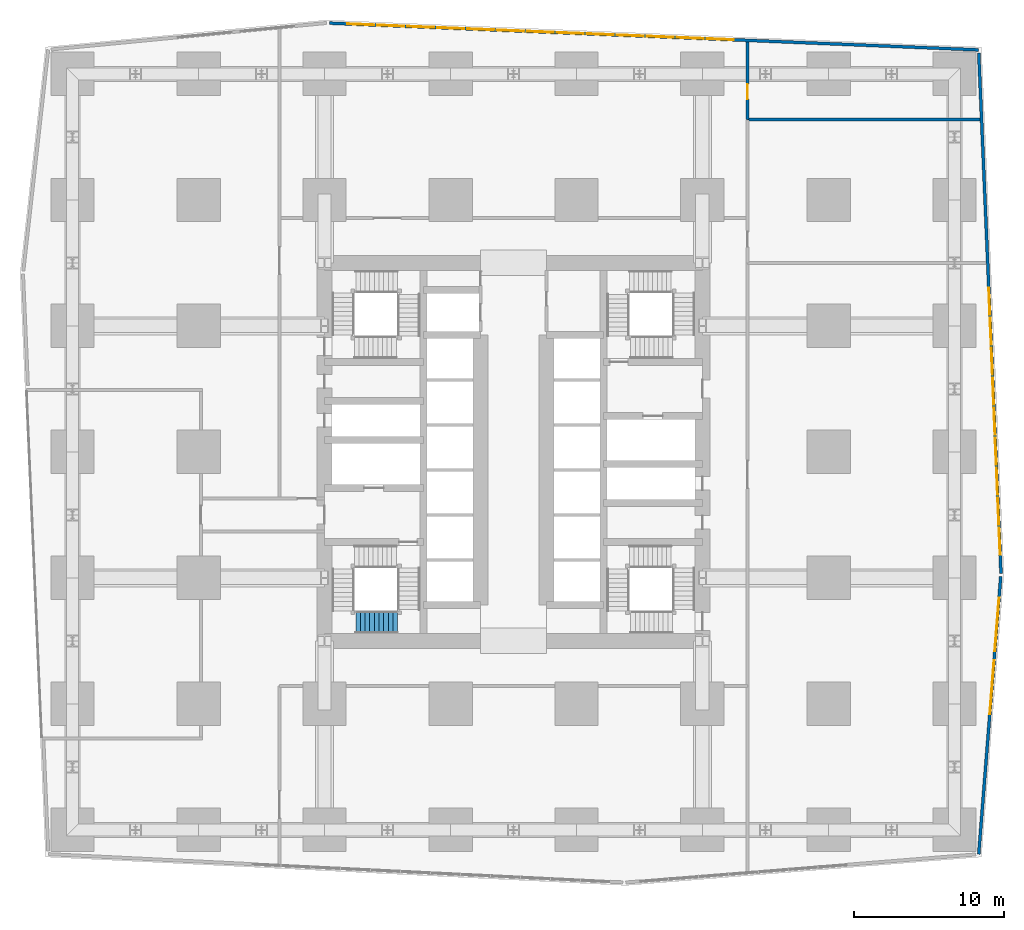
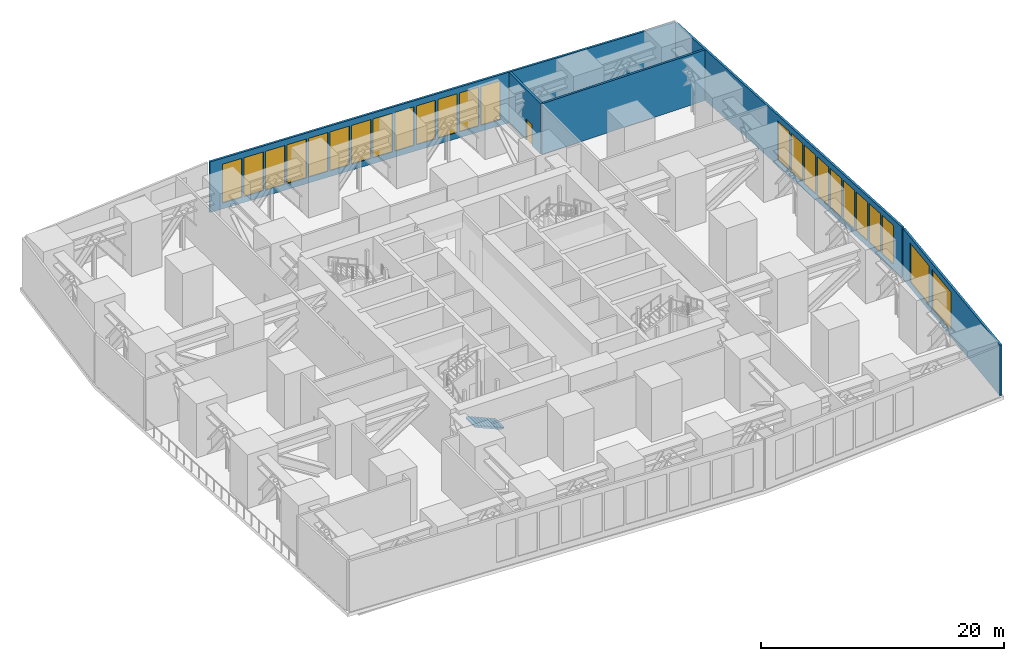
# One storey, part 11 of 16: 24 windows, 5 walls, 1 door, 1 stair flight, 25 openings, 1 element without a shape of its own.
"""IFC4 building model written with IfcOpenShell, lengths in metres."""

from ifc_helpers import new_model, si_unit, direction, frame, frame_2d, origin, place, context, subcontext, project, spatial, polyline, rectangle, outline, extrude, material, layer, layer_set, type_object, element, fill, aggregate, save


model = new_model("IFC4")

# Units and contexts
model_context = context("Model", 3, precision=1e-05, world=origin(), true_north=direction((0.0, 1.0)))
body_context = subcontext(model_context, "Body", "Model", "MODEL_VIEW")
ifc_project = project(units=[si_unit("LENGTHUNIT", "METRE"), si_unit("AREAUNIT", "SQUARE_METRE"), si_unit("VOLUMEUNIT", "CUBIC_METRE"), si_unit("PLANEANGLEUNIT", "RADIAN"), si_unit("MASSUNIT", "GRAM", prefix="KILO")], contexts=[model_context])

# Site, building, storey
site_placement = place(None, origin())
site = spatial("IfcSite", under=ifc_project, at=site_placement, CompositionType="ELEMENT")
building_placement = place(site_placement, origin())
building = spatial("IfcBuilding", under=site, at=building_placement, Name="Rekha Terrace Tower", CompositionType="ELEMENT")
storey_placement = place(building_placement, frame((0.0, 0.0, 85.39990234375)))
storey = spatial("IfcBuildingStorey", under=building, at=storey_placement, Name="L21", CompositionType="ELEMENT", Elevation=85.39990234375)

# Wall, openings, windows
ifc_material_1 = material(Name="Aluminium cladding on steel stud wall", Category="steel")
ifc_layer_1 = layer(ifc_material_1, 0.199951171875)
ifc_layer_set_1 = layer_set([ifc_layer_1], Name="Aluminium cladding on steel stud wall")
wall_type_1 = type_object("IfcWallType", Name="EW1 plant floor louvre wall 200", PredefinedType="SOLIDWALL", material=ifc_layer_set_1)
wall_1_placement = place(storey_placement, frame((68.814208984375, 6.78564453125, 0.0), z_axis=(0.0, 0.0, 1.0), x_axis=(0.079116300998, 0.996865392576, 0.0)))
wall_1 = element("IfcWall", 1, at=wall_1_placement, inside=storey, type_object=wall_type_1, Name="Plant floor louvre wall", PredefinedType="SOLIDWALL", context=body_context, shape_type="SweptSolid", body=[
    extrude(rectangle(XDim=18.576904296875, YDim=0.199951171875, at=frame_2d((9.28857421875, 0.0))), origin(), (0.0, 0.0, 1.0), 5.10009765625),
])
opening_1_placement = place(wall_1_placement, frame((9.359619140625, 0.0, 0.60009765625)))
opening_1 = element("IfcOpeningElement", 2, at=opening_1_placement, cuts=wall_1, Name="Opening LV1", PredefinedType="OPENING", context=body_context, shape_type="SweptSolid", body=[
    extrude(rectangle(XDim=3.60009765625, YDim=3.89990234375, at=frame_2d((1.800048828125, 1.949951171875))), frame((0.0, 0.10986328125, 0.0), z_axis=(0.0, -1.0, 0.0), x_axis=(1.0, 0.0, 0.0)), (0.0, 0.0, 1.0), 0.219970703125),
])
opening_2_placement = place(wall_1_placement, frame((13.559814453125, 0.0, 0.60009765625)))
opening_2 = element("IfcOpeningElement", 3, at=opening_2_placement, cuts=wall_1, Name="Opening LV1", PredefinedType="OPENING", context=body_context, shape_type="SweptSolid", body=[
    extrude(rectangle(XDim=3.60009765625, YDim=3.89990234375, at=frame_2d((1.800048828125, 1.949951171875))), frame((0.0, 0.10986328125, 0.0), z_axis=(0.0, -1.0, 0.0), x_axis=(1.0, 0.0, 0.0)), (0.0, 0.0, 1.0), 0.219970703125),
])
ifc_material_2 = material(Name="Extruded aluminium weather louvre", Category="aluminium")
window_type_1 = type_object("IfcWindowType", Name="LV1 plant louvre 3600", PartitioningType="SINGLE_PANEL", PredefinedType="USERDEFINED", material=ifc_material_2)
window_1_placement = place(opening_1_placement, origin())
window_1 = element("IfcWindow", 4, at=window_1_placement, inside=storey, type_object=window_type_1, Name="Plant louvre", ObjectType="LOUVRE", OverallHeight=3.89990234375, OverallWidth=3.60009765625, PartitioningType="SINGLE_PANEL", PredefinedType="USERDEFINED", context=body_context, shape_type="SweptSolid", body=[
    extrude(rectangle(XDim=3.60009765625, YDim=3.89990234375, at=frame_2d((1.800048828125, 1.949951171875))), frame((0.0, 0.030029296875, 0.0), z_axis=(0.0, -1.0, 0.0), x_axis=(1.0, 0.0, 0.0)), (0.0, 0.0, 1.0), 0.06005859375),
])
fill(opening_1, window_1)
window_2_placement = place(opening_2_placement, origin())
window_2 = element("IfcWindow", 5, at=window_2_placement, inside=storey, type_object=window_type_1, Name="Plant louvre", ObjectType="LOUVRE", OverallHeight=3.89990234375, OverallWidth=3.60009765625, PartitioningType="SINGLE_PANEL", PredefinedType="USERDEFINED", context=body_context, shape_type="SweptSolid", body=[
    extrude(rectangle(XDim=3.60009765625, YDim=3.89990234375, at=frame_2d((1.800048828125, 1.949951171875))), frame((0.0, 0.030029296875, 0.0), z_axis=(0.0, -1.0, 0.0), x_axis=(1.0, 0.0, 0.0)), (0.0, 0.0, 1.0), 0.06005859375),
])
fill(opening_2, window_2)

wall_2_placement = place(storey_placement, frame((70.299560546875, 25.503662109375, 0.0), z_axis=(0.0, 0.0, 1.0), x_axis=(-0.042690856182, 0.999088329828, 0.0)))
wall_2 = element("IfcWall", 6, at=wall_2_placement, inside=storey, type_object=wall_type_1, Name="Plant floor louvre wall", PredefinedType="SOLIDWALL", context=body_context, shape_type="SweptSolid", body=[
    extrude(rectangle(XDim=34.736083984375, YDim=0.199951171875, at=frame_2d((17.3681640625, 0.0))), origin(), (0.0, 0.0, 1.0), 5.10009765625),
])
opening_3_placement = place(wall_2_placement, frame((1.25732421875, 0.0, 0.60009765625)))
opening_3 = element("IfcOpeningElement", 7, at=opening_3_placement, cuts=wall_2, Name="Opening LV2", PredefinedType="OPENING", context=body_context, shape_type="SweptSolid", body=[
    extrude(rectangle(XDim=1.800048828125, YDim=3.89990234375, at=frame_2d((0.89990234375, 1.949951171875))), frame((0.0, 0.10986328125, 0.0), z_axis=(0.0, -1.0, 0.0), x_axis=(1.0, 0.0, 0.0)), (0.0, 0.0, 1.0), 0.219970703125),
])
opening_4_placement = place(wall_2_placement, frame((3.25732421875, 0.0, 0.60009765625)))
opening_4 = element("IfcOpeningElement", 8, at=opening_4_placement, cuts=wall_2, Name="Opening LV2", PredefinedType="OPENING", context=body_context, shape_type="SweptSolid", body=[
    extrude(rectangle(XDim=1.800048828125, YDim=3.89990234375, at=frame_2d((0.89990234375, 1.949951171875))), frame((0.0, 0.10986328125, 0.0), z_axis=(0.0, -1.0, 0.0), x_axis=(1.0, 0.0, 0.0)), (0.0, 0.0, 1.0), 0.219970703125),
])
opening_5_placement = place(wall_2_placement, frame((5.25732421875, 0.0, 0.60009765625)))
opening_5 = element("IfcOpeningElement", 9, at=opening_5_placement, cuts=wall_2, Name="Opening LV2", PredefinedType="OPENING", context=body_context, shape_type="SweptSolid", body=[
    extrude(rectangle(XDim=1.800048828125, YDim=3.89990234375, at=frame_2d((0.89990234375, 1.949951171875))), frame((0.0, 0.10986328125, 0.0), z_axis=(0.0, -1.0, 0.0), x_axis=(1.0, 0.0, 0.0)), (0.0, 0.0, 1.0), 0.219970703125),
])
opening_6_placement = place(wall_2_placement, frame((7.25732421875, 0.0, 0.60009765625)))
opening_6 = element("IfcOpeningElement", 10, at=opening_6_placement, cuts=wall_2, Name="Opening LV2", PredefinedType="OPENING", context=body_context, shape_type="SweptSolid", body=[
    extrude(rectangle(XDim=1.800048828125, YDim=3.89990234375, at=frame_2d((0.89990234375, 1.949951171875))), frame((0.0, 0.10986328125, 0.0), z_axis=(0.0, -1.0, 0.0), x_axis=(1.0, 0.0, 0.0)), (0.0, 0.0, 1.0), 0.219970703125),
])
opening_7_placement = place(wall_2_placement, frame((9.25732421875, 0.0, 0.60009765625)))
opening_7 = element("IfcOpeningElement", 11, at=opening_7_placement, cuts=wall_2, Name="Opening LV2", PredefinedType="OPENING", context=body_context, shape_type="SweptSolid", body=[
    extrude(rectangle(XDim=1.800048828125, YDim=3.89990234375, at=frame_2d((0.89990234375, 1.949951171875))), frame((0.0, 0.10986328125, 0.0), z_axis=(0.0, -1.0, 0.0), x_axis=(1.0, 0.0, 0.0)), (0.0, 0.0, 1.0), 0.219970703125),
])
opening_8_placement = place(wall_2_placement, frame((11.25732421875, 0.0, 0.60009765625)))
opening_8 = element("IfcOpeningElement", 12, at=opening_8_placement, cuts=wall_2, Name="Opening LV2", PredefinedType="OPENING", context=body_context, shape_type="SweptSolid", body=[
    extrude(rectangle(XDim=1.800048828125, YDim=3.89990234375, at=frame_2d((0.89990234375, 1.949951171875))), frame((0.0, 0.10986328125, 0.0), z_axis=(0.0, -1.0, 0.0), x_axis=(1.0, 0.0, 0.0)), (0.0, 0.0, 1.0), 0.219970703125),
])
opening_9_placement = place(wall_2_placement, frame((13.25732421875, 0.0, 0.60009765625)))
opening_9 = element("IfcOpeningElement", 13, at=opening_9_placement, cuts=wall_2, Name="Opening LV2", PredefinedType="OPENING", context=body_context, shape_type="SweptSolid", body=[
    extrude(rectangle(XDim=1.800048828125, YDim=3.89990234375, at=frame_2d((0.89990234375, 1.949951171875))), frame((0.0, 0.10986328125, 0.0), z_axis=(0.0, -1.0, 0.0), x_axis=(1.0, 0.0, 0.0)), (0.0, 0.0, 1.0), 0.219970703125),
])
opening_10_placement = place(wall_2_placement, frame((15.25732421875, 0.0, 0.60009765625)))
opening_10 = element("IfcOpeningElement", 14, at=opening_10_placement, cuts=wall_2, Name="Opening LV2", PredefinedType="OPENING", context=body_context, shape_type="SweptSolid", body=[
    extrude(rectangle(XDim=1.800048828125, YDim=3.89990234375, at=frame_2d((0.89990234375, 1.949951171875))), frame((0.0, 0.10986328125, 0.0), z_axis=(0.0, -1.0, 0.0), x_axis=(1.0, 0.0, 0.0)), (0.0, 0.0, 1.0), 0.219970703125),
])
opening_11_placement = place(wall_2_placement, frame((17.25732421875, 0.0, 0.60009765625)))
opening_11 = element("IfcOpeningElement", 15, at=opening_11_placement, cuts=wall_2, Name="Opening LV2", PredefinedType="OPENING", context=body_context, shape_type="SweptSolid", body=[
    extrude(rectangle(XDim=1.800048828125, YDim=3.89990234375, at=frame_2d((0.89990234375, 1.949951171875))), frame((0.0, 0.10986328125, 0.0), z_axis=(0.0, -1.0, 0.0), x_axis=(1.0, 0.0, 0.0)), (0.0, 0.0, 1.0), 0.219970703125),
])
window_type_2 = type_object("IfcWindowType", Name="LV2 plant louvre 1800", PartitioningType="SINGLE_PANEL", PredefinedType="USERDEFINED", material=ifc_material_2)
window_3_placement = place(opening_3_placement, origin())
window_3 = element("IfcWindow", 16, at=window_3_placement, inside=storey, type_object=window_type_2, Name="Plant louvre", ObjectType="LOUVRE", OverallHeight=3.89990234375, OverallWidth=1.800048828125, PartitioningType="SINGLE_PANEL", PredefinedType="USERDEFINED", context=body_context, shape_type="SweptSolid", body=[
    extrude(rectangle(XDim=1.800048828125, YDim=3.89990234375, at=frame_2d((0.89990234375, 1.949951171875))), frame((0.0, 0.030029296875, 0.0), z_axis=(0.0, -1.0, 0.0), x_axis=(1.0, 0.0, 0.0)), (0.0, 0.0, 1.0), 0.06005859375),
])
fill(opening_3, window_3)
window_4_placement = place(opening_4_placement, origin())
window_4 = element("IfcWindow", 17, at=window_4_placement, inside=storey, type_object=window_type_2, Name="Plant louvre", ObjectType="LOUVRE", OverallHeight=3.89990234375, OverallWidth=1.800048828125, PartitioningType="SINGLE_PANEL", PredefinedType="USERDEFINED", context=body_context, shape_type="SweptSolid", body=[
    extrude(rectangle(XDim=1.800048828125, YDim=3.89990234375, at=frame_2d((0.89990234375, 1.949951171875))), frame((0.0, 0.030029296875, 0.0), z_axis=(0.0, -1.0, 0.0), x_axis=(1.0, 0.0, 0.0)), (0.0, 0.0, 1.0), 0.06005859375),
])
fill(opening_4, window_4)
window_5_placement = place(opening_5_placement, origin())
window_5 = element("IfcWindow", 18, at=window_5_placement, inside=storey, type_object=window_type_2, Name="Plant louvre", ObjectType="LOUVRE", OverallHeight=3.89990234375, OverallWidth=1.800048828125, PartitioningType="SINGLE_PANEL", PredefinedType="USERDEFINED", context=body_context, shape_type="SweptSolid", body=[
    extrude(rectangle(XDim=1.800048828125, YDim=3.89990234375, at=frame_2d((0.89990234375, 1.949951171875))), frame((0.0, 0.030029296875, 0.0), z_axis=(0.0, -1.0, 0.0), x_axis=(1.0, 0.0, 0.0)), (0.0, 0.0, 1.0), 0.06005859375),
])
fill(opening_5, window_5)
window_6_placement = place(opening_6_placement, origin())
window_6 = element("IfcWindow", 19, at=window_6_placement, inside=storey, type_object=window_type_2, Name="Plant louvre", ObjectType="LOUVRE", OverallHeight=3.89990234375, OverallWidth=1.800048828125, PartitioningType="SINGLE_PANEL", PredefinedType="USERDEFINED", context=body_context, shape_type="SweptSolid", body=[
    extrude(rectangle(XDim=1.800048828125, YDim=3.89990234375, at=frame_2d((0.89990234375, 1.949951171875))), frame((0.0, 0.030029296875, 0.0), z_axis=(0.0, -1.0, 0.0), x_axis=(1.0, 0.0, 0.0)), (0.0, 0.0, 1.0), 0.06005859375),
])
fill(opening_6, window_6)
window_7_placement = place(opening_7_placement, origin())
window_7 = element("IfcWindow", 20, at=window_7_placement, inside=storey, type_object=window_type_2, Name="Plant louvre", ObjectType="LOUVRE", OverallHeight=3.89990234375, OverallWidth=1.800048828125, PartitioningType="SINGLE_PANEL", PredefinedType="USERDEFINED", context=body_context, shape_type="SweptSolid", body=[
    extrude(rectangle(XDim=1.800048828125, YDim=3.89990234375, at=frame_2d((0.89990234375, 1.949951171875))), frame((0.0, 0.030029296875, 0.0), z_axis=(0.0, -1.0, 0.0), x_axis=(1.0, 0.0, 0.0)), (0.0, 0.0, 1.0), 0.06005859375),
])
fill(opening_7, window_7)
window_8_placement = place(opening_8_placement, origin())
window_8 = element("IfcWindow", 21, at=window_8_placement, inside=storey, type_object=window_type_2, Name="Plant louvre", ObjectType="LOUVRE", OverallHeight=3.89990234375, OverallWidth=1.800048828125, PartitioningType="SINGLE_PANEL", PredefinedType="USERDEFINED", context=body_context, shape_type="SweptSolid", body=[
    extrude(rectangle(XDim=1.800048828125, YDim=3.89990234375, at=frame_2d((0.89990234375, 1.949951171875))), frame((0.0, 0.030029296875, 0.0), z_axis=(0.0, -1.0, 0.0), x_axis=(1.0, 0.0, 0.0)), (0.0, 0.0, 1.0), 0.06005859375),
])
fill(opening_8, window_8)
window_9_placement = place(opening_9_placement, origin())
window_9 = element("IfcWindow", 22, at=window_9_placement, inside=storey, type_object=window_type_2, Name="Plant louvre", ObjectType="LOUVRE", OverallHeight=3.89990234375, OverallWidth=1.800048828125, PartitioningType="SINGLE_PANEL", PredefinedType="USERDEFINED", context=body_context, shape_type="SweptSolid", body=[
    extrude(rectangle(XDim=1.800048828125, YDim=3.89990234375, at=frame_2d((0.89990234375, 1.949951171875))), frame((0.0, 0.030029296875, 0.0), z_axis=(0.0, -1.0, 0.0), x_axis=(1.0, 0.0, 0.0)), (0.0, 0.0, 1.0), 0.06005859375),
])
fill(opening_9, window_9)
window_10_placement = place(opening_10_placement, origin())
window_10 = element("IfcWindow", 23, at=window_10_placement, inside=storey, type_object=window_type_2, Name="Plant louvre", ObjectType="LOUVRE", OverallHeight=3.89990234375, OverallWidth=1.800048828125, PartitioningType="SINGLE_PANEL", PredefinedType="USERDEFINED", context=body_context, shape_type="SweptSolid", body=[
    extrude(rectangle(XDim=1.800048828125, YDim=3.89990234375, at=frame_2d((0.89990234375, 1.949951171875))), frame((0.0, 0.030029296875, 0.0), z_axis=(0.0, -1.0, 0.0), x_axis=(1.0, 0.0, 0.0)), (0.0, 0.0, 1.0), 0.06005859375),
])
fill(opening_10, window_10)
window_11_placement = place(opening_11_placement, origin())
window_11 = element("IfcWindow", 24, at=window_11_placement, inside=storey, type_object=window_type_2, Name="Plant louvre", ObjectType="LOUVRE", OverallHeight=3.89990234375, OverallWidth=1.800048828125, PartitioningType="SINGLE_PANEL", PredefinedType="USERDEFINED", context=body_context, shape_type="SweptSolid", body=[
    extrude(rectangle(XDim=1.800048828125, YDim=3.89990234375, at=frame_2d((0.89990234375, 1.949951171875))), frame((0.0, 0.030029296875, 0.0), z_axis=(0.0, -1.0, 0.0), x_axis=(1.0, 0.0, 0.0)), (0.0, 0.0, 1.0), 0.06005859375),
])
fill(opening_11, window_11)

wall_3_placement = place(storey_placement, frame((68.80810546875, 60.40771484375, 0.0), z_axis=(0.0, 0.0, 1.0), x_axis=(-0.999151937772, 0.041175298993, 0.0)))
wall_3 = element("IfcWall", 25, at=wall_3_placement, inside=storey, type_object=wall_type_1, Name="Plant floor louvre wall", PredefinedType="SOLIDWALL", context=body_context, shape_type="SweptSolid", body=[
    extrude(rectangle(XDim=43.3193359375, YDim=0.199951171875, at=frame_2d((21.65966796875, 0.0))), origin(), (0.0, 0.0, 1.0), 5.10009765625),
])
opening_12_placement = place(wall_3_placement, frame((16.33447265625, 0.0, 0.60009765625)))
opening_12 = element("IfcOpeningElement", 26, at=opening_12_placement, cuts=wall_3, Name="Opening LV2", PredefinedType="OPENING", context=body_context, shape_type="SweptSolid", body=[
    extrude(rectangle(XDim=1.800048828125, YDim=3.89990234375, at=frame_2d((0.89990234375, 1.949951171875))), frame((0.0, 0.10986328125, 0.0), z_axis=(0.0, -1.0, 0.0), x_axis=(1.0, 0.0, 0.0)), (0.0, 0.0, 1.0), 0.219970703125),
])
opening_13_placement = place(wall_3_placement, frame((18.33447265625, 0.0, 0.60009765625)))
opening_13 = element("IfcOpeningElement", 27, at=opening_13_placement, cuts=wall_3, Name="Opening LV2", PredefinedType="OPENING", context=body_context, shape_type="SweptSolid", body=[
    extrude(rectangle(XDim=1.800048828125, YDim=3.89990234375, at=frame_2d((0.89990234375, 1.949951171875))), frame((0.0, 0.10986328125, 0.0), z_axis=(0.0, -1.0, 0.0), x_axis=(1.0, 0.0, 0.0)), (0.0, 0.0, 1.0), 0.219970703125),
])
opening_14_placement = place(wall_3_placement, frame((20.33447265625, 0.0, 0.60009765625)))
opening_14 = element("IfcOpeningElement", 28, at=opening_14_placement, cuts=wall_3, Name="Opening LV2", PredefinedType="OPENING", context=body_context, shape_type="SweptSolid", body=[
    extrude(rectangle(XDim=1.800048828125, YDim=3.89990234375, at=frame_2d((0.89990234375, 1.949951171875))), frame((0.0, 0.10986328125, 0.0), z_axis=(0.0, -1.0, 0.0), x_axis=(1.0, 0.0, 0.0)), (0.0, 0.0, 1.0), 0.219970703125),
])
opening_15_placement = place(wall_3_placement, frame((22.33447265625, 0.0, 0.60009765625)))
opening_15 = element("IfcOpeningElement", 29, at=opening_15_placement, cuts=wall_3, Name="Opening LV2", PredefinedType="OPENING", context=body_context, shape_type="SweptSolid", body=[
    extrude(rectangle(XDim=1.800048828125, YDim=3.89990234375, at=frame_2d((0.89990234375, 1.949951171875))), frame((0.0, 0.10986328125, 0.0), z_axis=(0.0, -1.0, 0.0), x_axis=(1.0, 0.0, 0.0)), (0.0, 0.0, 1.0), 0.219970703125),
])
opening_16_placement = place(wall_3_placement, frame((24.33447265625, 0.0, 0.60009765625)))
opening_16 = element("IfcOpeningElement", 30, at=opening_16_placement, cuts=wall_3, Name="Opening LV2", PredefinedType="OPENING", context=body_context, shape_type="SweptSolid", body=[
    extrude(rectangle(XDim=1.800048828125, YDim=3.89990234375, at=frame_2d((0.89990234375, 1.949951171875))), frame((0.0, 0.10986328125, 0.0), z_axis=(0.0, -1.0, 0.0), x_axis=(1.0, 0.0, 0.0)), (0.0, 0.0, 1.0), 0.219970703125),
])
opening_17_placement = place(wall_3_placement, frame((26.33447265625, 0.0, 0.60009765625)))
opening_17 = element("IfcOpeningElement", 31, at=opening_17_placement, cuts=wall_3, Name="Opening LV2", PredefinedType="OPENING", context=body_context, shape_type="SweptSolid", body=[
    extrude(rectangle(XDim=1.800048828125, YDim=3.89990234375, at=frame_2d((0.89990234375, 1.949951171875))), frame((0.0, 0.10986328125, 0.0), z_axis=(0.0, -1.0, 0.0), x_axis=(1.0, 0.0, 0.0)), (0.0, 0.0, 1.0), 0.219970703125),
])
opening_18_placement = place(wall_3_placement, frame((28.33447265625, 0.0, 0.60009765625)))
opening_18 = element("IfcOpeningElement", 32, at=opening_18_placement, cuts=wall_3, Name="Opening LV2", PredefinedType="OPENING", context=body_context, shape_type="SweptSolid", body=[
    extrude(rectangle(XDim=1.800048828125, YDim=3.89990234375, at=frame_2d((0.89990234375, 1.949951171875))), frame((0.0, 0.10986328125, 0.0), z_axis=(0.0, -1.0, 0.0), x_axis=(1.0, 0.0, 0.0)), (0.0, 0.0, 1.0), 0.219970703125),
])
opening_19_placement = place(wall_3_placement, frame((30.33447265625, 0.0, 0.60009765625)))
opening_19 = element("IfcOpeningElement", 33, at=opening_19_placement, cuts=wall_3, Name="Opening LV2", PredefinedType="OPENING", context=body_context, shape_type="SweptSolid", body=[
    extrude(rectangle(XDim=1.800048828125, YDim=3.89990234375, at=frame_2d((0.89990234375, 1.949951171875))), frame((0.0, 0.10986328125, 0.0), z_axis=(0.0, -1.0, 0.0), x_axis=(1.0, 0.0, 0.0)), (0.0, 0.0, 1.0), 0.219970703125),
])
opening_20_placement = place(wall_3_placement, frame((32.33447265625, 0.0, 0.60009765625)))
opening_20 = element("IfcOpeningElement", 34, at=opening_20_placement, cuts=wall_3, Name="Opening LV2", PredefinedType="OPENING", context=body_context, shape_type="SweptSolid", body=[
    extrude(rectangle(XDim=1.800048828125, YDim=3.89990234375, at=frame_2d((0.89990234375, 1.949951171875))), frame((0.0, 0.10986328125, 0.0), z_axis=(0.0, -1.0, 0.0), x_axis=(1.0, 0.0, 0.0)), (0.0, 0.0, 1.0), 0.219970703125),
])
opening_21_placement = place(wall_3_placement, frame((34.33447265625, 0.0, 0.60009765625)))
opening_21 = element("IfcOpeningElement", 35, at=opening_21_placement, cuts=wall_3, Name="Opening LV2", PredefinedType="OPENING", context=body_context, shape_type="SweptSolid", body=[
    extrude(rectangle(XDim=1.800048828125, YDim=3.89990234375, at=frame_2d((0.89990234375, 1.949951171875))), frame((0.0, 0.10986328125, 0.0), z_axis=(0.0, -1.0, 0.0), x_axis=(1.0, 0.0, 0.0)), (0.0, 0.0, 1.0), 0.219970703125),
])
opening_22_placement = place(wall_3_placement, frame((36.33447265625, 0.0, 0.60009765625)))
opening_22 = element("IfcOpeningElement", 36, at=opening_22_placement, cuts=wall_3, Name="Opening LV2", PredefinedType="OPENING", context=body_context, shape_type="SweptSolid", body=[
    extrude(rectangle(XDim=1.800048828125, YDim=3.89990234375, at=frame_2d((0.89990234375, 1.949951171875))), frame((0.0, 0.10986328125, 0.0), z_axis=(0.0, -1.0, 0.0), x_axis=(1.0, 0.0, 0.0)), (0.0, 0.0, 1.0), 0.219970703125),
])
opening_23_placement = place(wall_3_placement, frame((38.33447265625, 0.0, 0.60009765625)))
opening_23 = element("IfcOpeningElement", 37, at=opening_23_placement, cuts=wall_3, Name="Opening LV2", PredefinedType="OPENING", context=body_context, shape_type="SweptSolid", body=[
    extrude(rectangle(XDim=1.800048828125, YDim=3.89990234375, at=frame_2d((0.89990234375, 1.949951171875))), frame((0.0, 0.10986328125, 0.0), z_axis=(0.0, -1.0, 0.0), x_axis=(1.0, 0.0, 0.0)), (0.0, 0.0, 1.0), 0.219970703125),
])
opening_24_placement = place(wall_3_placement, frame((40.33447265625, 0.0, 0.60009765625)))
opening_24 = element("IfcOpeningElement", 38, at=opening_24_placement, cuts=wall_3, Name="Opening LV2", PredefinedType="OPENING", context=body_context, shape_type="SweptSolid", body=[
    extrude(rectangle(XDim=1.800048828125, YDim=3.89990234375, at=frame_2d((0.89990234375, 1.949951171875))), frame((0.0, 0.10986328125, 0.0), z_axis=(0.0, -1.0, 0.0), x_axis=(1.0, 0.0, 0.0)), (0.0, 0.0, 1.0), 0.219970703125),
])
window_12_placement = place(opening_12_placement, origin())
window_12 = element("IfcWindow", 39, at=window_12_placement, inside=storey, type_object=window_type_2, Name="Plant louvre", ObjectType="LOUVRE", OverallHeight=3.89990234375, OverallWidth=1.800048828125, PartitioningType="SINGLE_PANEL", PredefinedType="USERDEFINED", context=body_context, shape_type="SweptSolid", body=[
    extrude(rectangle(XDim=1.800048828125, YDim=3.89990234375, at=frame_2d((0.89990234375, 1.949951171875))), frame((0.0, 0.030029296875, 0.0), z_axis=(0.0, -1.0, 0.0), x_axis=(1.0, 0.0, 0.0)), (0.0, 0.0, 1.0), 0.06005859375),
])
fill(opening_12, window_12)
window_13_placement = place(opening_13_placement, origin())
window_13 = element("IfcWindow", 40, at=window_13_placement, inside=storey, type_object=window_type_2, Name="Plant louvre", ObjectType="LOUVRE", OverallHeight=3.89990234375, OverallWidth=1.800048828125, PartitioningType="SINGLE_PANEL", PredefinedType="USERDEFINED", context=body_context, shape_type="SweptSolid", body=[
    extrude(rectangle(XDim=1.800048828125, YDim=3.89990234375, at=frame_2d((0.89990234375, 1.949951171875))), frame((0.0, 0.030029296875, 0.0), z_axis=(0.0, -1.0, 0.0), x_axis=(1.0, 0.0, 0.0)), (0.0, 0.0, 1.0), 0.06005859375),
])
fill(opening_13, window_13)
window_14_placement = place(opening_14_placement, origin())
window_14 = element("IfcWindow", 41, at=window_14_placement, inside=storey, type_object=window_type_2, Name="Plant louvre", ObjectType="LOUVRE", OverallHeight=3.89990234375, OverallWidth=1.800048828125, PartitioningType="SINGLE_PANEL", PredefinedType="USERDEFINED", context=body_context, shape_type="SweptSolid", body=[
    extrude(rectangle(XDim=1.800048828125, YDim=3.89990234375, at=frame_2d((0.89990234375, 1.949951171875))), frame((0.0, 0.030029296875, 0.0), z_axis=(0.0, -1.0, 0.0), x_axis=(1.0, 0.0, 0.0)), (0.0, 0.0, 1.0), 0.06005859375),
])
fill(opening_14, window_14)
window_15_placement = place(opening_15_placement, origin())
window_15 = element("IfcWindow", 42, at=window_15_placement, inside=storey, type_object=window_type_2, Name="Plant louvre", ObjectType="LOUVRE", OverallHeight=3.89990234375, OverallWidth=1.800048828125, PartitioningType="SINGLE_PANEL", PredefinedType="USERDEFINED", context=body_context, shape_type="SweptSolid", body=[
    extrude(rectangle(XDim=1.800048828125, YDim=3.89990234375, at=frame_2d((0.89990234375, 1.949951171875))), frame((0.0, 0.030029296875, 0.0), z_axis=(0.0, -1.0, 0.0), x_axis=(1.0, 0.0, 0.0)), (0.0, 0.0, 1.0), 0.06005859375),
])
fill(opening_15, window_15)
window_16_placement = place(opening_16_placement, origin())
window_16 = element("IfcWindow", 43, at=window_16_placement, inside=storey, type_object=window_type_2, Name="Plant louvre", ObjectType="LOUVRE", OverallHeight=3.89990234375, OverallWidth=1.800048828125, PartitioningType="SINGLE_PANEL", PredefinedType="USERDEFINED", context=body_context, shape_type="SweptSolid", body=[
    extrude(rectangle(XDim=1.800048828125, YDim=3.89990234375, at=frame_2d((0.89990234375, 1.949951171875))), frame((0.0, 0.030029296875, 0.0), z_axis=(0.0, -1.0, 0.0), x_axis=(1.0, 0.0, 0.0)), (0.0, 0.0, 1.0), 0.06005859375),
])
fill(opening_16, window_16)
window_17_placement = place(opening_17_placement, origin())
window_17 = element("IfcWindow", 44, at=window_17_placement, inside=storey, type_object=window_type_2, Name="Plant louvre", ObjectType="LOUVRE", OverallHeight=3.89990234375, OverallWidth=1.800048828125, PartitioningType="SINGLE_PANEL", PredefinedType="USERDEFINED", context=body_context, shape_type="SweptSolid", body=[
    extrude(rectangle(XDim=1.800048828125, YDim=3.89990234375, at=frame_2d((0.89990234375, 1.949951171875))), frame((0.0, 0.030029296875, 0.0), z_axis=(0.0, -1.0, 0.0), x_axis=(1.0, 0.0, 0.0)), (0.0, 0.0, 1.0), 0.06005859375),
])
fill(opening_17, window_17)
window_18_placement = place(opening_18_placement, origin())
window_18 = element("IfcWindow", 45, at=window_18_placement, inside=storey, type_object=window_type_2, Name="Plant louvre", ObjectType="LOUVRE", OverallHeight=3.89990234375, OverallWidth=1.800048828125, PartitioningType="SINGLE_PANEL", PredefinedType="USERDEFINED", context=body_context, shape_type="SweptSolid", body=[
    extrude(rectangle(XDim=1.800048828125, YDim=3.89990234375, at=frame_2d((0.89990234375, 1.949951171875))), frame((0.0, 0.030029296875, 0.0), z_axis=(0.0, -1.0, 0.0), x_axis=(1.0, 0.0, 0.0)), (0.0, 0.0, 1.0), 0.06005859375),
])
fill(opening_18, window_18)
window_19_placement = place(opening_19_placement, origin())
window_19 = element("IfcWindow", 46, at=window_19_placement, inside=storey, type_object=window_type_2, Name="Plant louvre", ObjectType="LOUVRE", OverallHeight=3.89990234375, OverallWidth=1.800048828125, PartitioningType="SINGLE_PANEL", PredefinedType="USERDEFINED", context=body_context, shape_type="SweptSolid", body=[
    extrude(rectangle(XDim=1.800048828125, YDim=3.89990234375, at=frame_2d((0.89990234375, 1.949951171875))), frame((0.0, 0.030029296875, 0.0), z_axis=(0.0, -1.0, 0.0), x_axis=(1.0, 0.0, 0.0)), (0.0, 0.0, 1.0), 0.06005859375),
])
fill(opening_19, window_19)
window_20_placement = place(opening_20_placement, origin())
window_20 = element("IfcWindow", 47, at=window_20_placement, inside=storey, type_object=window_type_2, Name="Plant louvre", ObjectType="LOUVRE", OverallHeight=3.89990234375, OverallWidth=1.800048828125, PartitioningType="SINGLE_PANEL", PredefinedType="USERDEFINED", context=body_context, shape_type="SweptSolid", body=[
    extrude(rectangle(XDim=1.800048828125, YDim=3.89990234375, at=frame_2d((0.89990234375, 1.949951171875))), frame((0.0, 0.030029296875, 0.0), z_axis=(0.0, -1.0, 0.0), x_axis=(1.0, 0.0, 0.0)), (0.0, 0.0, 1.0), 0.06005859375),
])
fill(opening_20, window_20)
window_21_placement = place(opening_21_placement, origin())
window_21 = element("IfcWindow", 48, at=window_21_placement, inside=storey, type_object=window_type_2, Name="Plant louvre", ObjectType="LOUVRE", OverallHeight=3.89990234375, OverallWidth=1.800048828125, PartitioningType="SINGLE_PANEL", PredefinedType="USERDEFINED", context=body_context, shape_type="SweptSolid", body=[
    extrude(rectangle(XDim=1.800048828125, YDim=3.89990234375, at=frame_2d((0.89990234375, 1.949951171875))), frame((0.0, 0.030029296875, 0.0), z_axis=(0.0, -1.0, 0.0), x_axis=(1.0, 0.0, 0.0)), (0.0, 0.0, 1.0), 0.06005859375),
])
fill(opening_21, window_21)
window_22_placement = place(opening_22_placement, origin())
window_22 = element("IfcWindow", 49, at=window_22_placement, inside=storey, type_object=window_type_2, Name="Plant louvre", ObjectType="LOUVRE", OverallHeight=3.89990234375, OverallWidth=1.800048828125, PartitioningType="SINGLE_PANEL", PredefinedType="USERDEFINED", context=body_context, shape_type="SweptSolid", body=[
    extrude(rectangle(XDim=1.800048828125, YDim=3.89990234375, at=frame_2d((0.89990234375, 1.949951171875))), frame((0.0, 0.030029296875, 0.0), z_axis=(0.0, -1.0, 0.0), x_axis=(1.0, 0.0, 0.0)), (0.0, 0.0, 1.0), 0.06005859375),
])
fill(opening_22, window_22)
window_23_placement = place(opening_23_placement, origin())
window_23 = element("IfcWindow", 50, at=window_23_placement, inside=storey, type_object=window_type_2, Name="Plant louvre", ObjectType="LOUVRE", OverallHeight=3.89990234375, OverallWidth=1.800048828125, PartitioningType="SINGLE_PANEL", PredefinedType="USERDEFINED", context=body_context, shape_type="SweptSolid", body=[
    extrude(rectangle(XDim=1.800048828125, YDim=3.89990234375, at=frame_2d((0.89990234375, 1.949951171875))), frame((0.0, 0.030029296875, 0.0), z_axis=(0.0, -1.0, 0.0), x_axis=(1.0, 0.0, 0.0)), (0.0, 0.0, 1.0), 0.06005859375),
])
fill(opening_23, window_23)
window_24_placement = place(opening_24_placement, origin())
window_24 = element("IfcWindow", 51, at=window_24_placement, inside=storey, type_object=window_type_2, Name="Plant louvre", ObjectType="LOUVRE", OverallHeight=3.89990234375, OverallWidth=1.800048828125, PartitioningType="SINGLE_PANEL", PredefinedType="USERDEFINED", context=body_context, shape_type="SweptSolid", body=[
    extrude(rectangle(XDim=1.800048828125, YDim=3.89990234375, at=frame_2d((0.89990234375, 1.949951171875))), frame((0.0, 0.030029296875, 0.0), z_axis=(0.0, -1.0, 0.0), x_axis=(1.0, 0.0, 0.0)), (0.0, 0.0, 1.0), 0.06005859375),
])
fill(opening_24, window_24)

# Wall
ifc_material_3 = material(Name="Solid concrete block masonry, 2 hour", Category="masonry")
ifc_layer_2 = layer(ifc_material_3, 0.199951171875)
ifc_layer_set_2 = layer_set([ifc_layer_2], Name="Solid concrete block masonry, 2 hour")
wall_type_2 = type_object("IfcWallType", Name="WP1 200 plant room wall", PredefinedType="PARTITIONING", material=ifc_layer_set_2)
wall_4_placement = place(storey_placement, frame((53.39990234375, 55.75, 0.0), z_axis=(0.0, 0.0, 1.0), x_axis=(1.0, 0.0, 0.0)))
element("IfcWall", 52, at=wall_4_placement, inside=storey, type_object=wall_type_2, Name="Partition L21-07", PredefinedType="PARTITIONING", context=body_context, shape_type="SweptSolid", body=[
    extrude(rectangle(XDim=15.507080078125, YDim=0.199951171875, at=frame_2d((7.75341796875, 0.0))), origin(), (0.0, 0.0, 1.0), 5.10009765625),
])

# Wall, opening, door
wall_5_placement = place(storey_placement, frame((53.39990234375, 55.75, 0.0), z_axis=(0.0, 0.0, 1.0), x_axis=(0.0, 1.0, 0.0)))
wall_5 = element("IfcWall", 53, at=wall_5_placement, inside=storey, type_object=wall_type_2, Name="Partition L21-09", PredefinedType="PARTITIONING", context=body_context, shape_type="SweptSolid", body=[
    extrude(rectangle(XDim=5.193115234375, YDim=0.199951171875, at=frame_2d((2.5966796875, 0.0))), origin(), (0.0, 0.0, 1.0), 5.10009765625),
])
opening_25_placement = place(wall_5_placement, frame((1.37109375, 0.0, 0.0)))
opening_25 = element("IfcOpeningElement", 54, at=opening_25_placement, cuts=wall_5, Name="Opening D9", PredefinedType="OPENING", context=body_context, shape_type="SweptSolid", body=[
    extrude(rectangle(XDim=1.0, YDim=2.10009765625, at=frame_2d((0.5, 1.050048828125))), frame((0.0, 0.10986328125, 0.0), z_axis=(0.0, -1.0, 0.0), x_axis=(1.0, 0.0, 0.0)), (0.0, 0.0, 1.0), 0.219970703125),
])
ifc_material_4 = material(Name="Timber fire door", Category="wood")
door_type = type_object("IfcDoorType", Name="D9 1000x2100 office door", OperationType="SINGLE_SWING_LEFT", PredefinedType="DOOR", material=ifc_material_4)
door_placement = place(opening_25_placement, origin())
door = element("IfcDoor", 55, at=door_placement, inside=storey, type_object=door_type, Name="Door louvre intake plenum L21", OperationType="SINGLE_SWING_LEFT", OverallHeight=2.10009765625, OverallWidth=1.0, PredefinedType="DOOR", context=body_context, shape_type="SweptSolid", body=[
    extrude(rectangle(XDim=1.0, YDim=2.10009765625, at=frame_2d((0.5, 1.050048828125))), frame((0.0, 0.02490234375, 0.0), z_axis=(0.0, -1.0, 0.0), x_axis=(1.0, 0.0, 0.0)), (0.0, 0.0, 1.0), 0.050048828125),
])
fill(opening_25, door)

# Stair, stair flight
ifc_material_5 = material(Name="Concrete M40", Category="concrete")
stair_type = type_object("IfcStairType", Name="ST40 stair, 40 risers of 135, going 310, 1500 wide flights, 4 flights", PredefinedType="QUARTER_TURN_STAIR", material=ifc_material_5)
stair_placement = place(storey_placement, origin())
stair = element("IfcStair", 56, at=stair_placement, inside=storey, type_object=stair_type, Name="Stair ST1 L21 to L22", PredefinedType="QUARTER_TURN_STAIR")
stair_flight_type = type_object("IfcStairFlightType", Name="SF10 stair flight, 10 risers of 135, going 310, 1500 wide", PredefinedType="STRAIGHT", material=ifc_material_5)
stair_flight_placement = place(storey_placement, frame((30.074951171875, 22.25, 1.35009765625), z_axis=(0.0, 0.0, 1.0), x_axis=(-1.0, 0.0, 0.0)))
stair_flight = element("IfcStairFlight", 57, at=stair_flight_placement, type_object=stair_flight_type, Name="ST1 flight 2", NumberOfRisers=10, NumberOfTreads=9, PredefinedType="STRAIGHT", RiserHeight=0.135, TreadLength=0.31, context=body_context, shape_type="SweptSolid", body=[
    extrude(outline(polyline([(0.0, 0.0), (0.0, 0.135009765625), (0.31005859375, 0.135009765625), (0.31005859375, 0.27001953125), (0.6201171875, 0.27001953125), (0.6201171875, 0.405029296875), (0.929931640625, 0.405029296875), (0.929931640625, 0.5400390625), (1.239990234375, 0.5400390625), (1.239990234375, 0.675048828125), (1.550048828125, 0.675048828125), (1.550048828125, 0.81005859375), (1.860107421875, 0.81005859375), (1.860107421875, 0.945068359375), (2.169921875, 0.945068359375), (2.169921875, 1.080078125), (2.47998046875, 1.080078125), (2.47998046875, 1.215087890625), (2.7900390625, 1.215087890625), (2.7900390625, 1.35009765625), (2.7900390625, 1.051513671875), (0.37548828125, 0.0), (0.0, 0.0)])), frame((0.0, 0.75, 0.0), z_axis=(0.0, -1.0, 0.0), x_axis=(1.0, 0.0, 0.0)), (0.0, 0.0, 1.0), 1.5),
])
aggregate(stair, [stair_flight])

save(model, "model.ifc")
